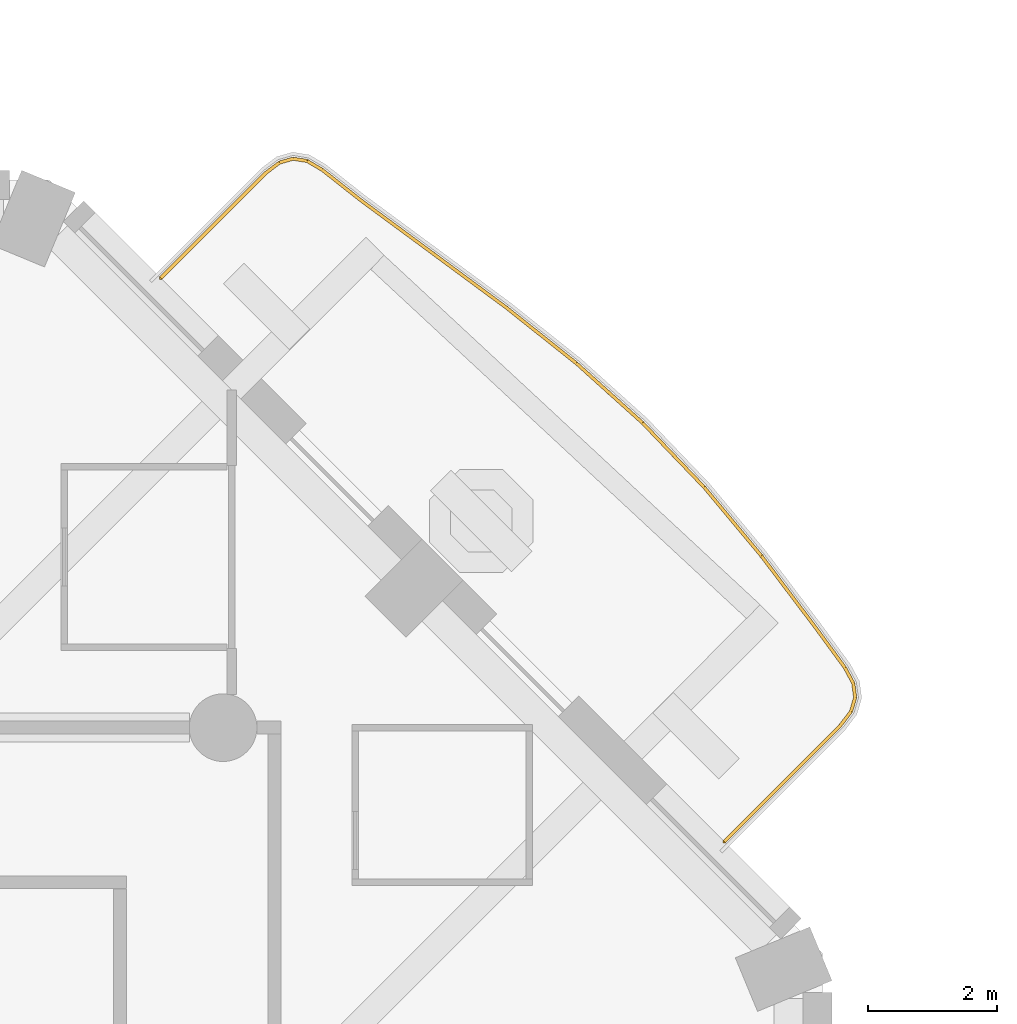
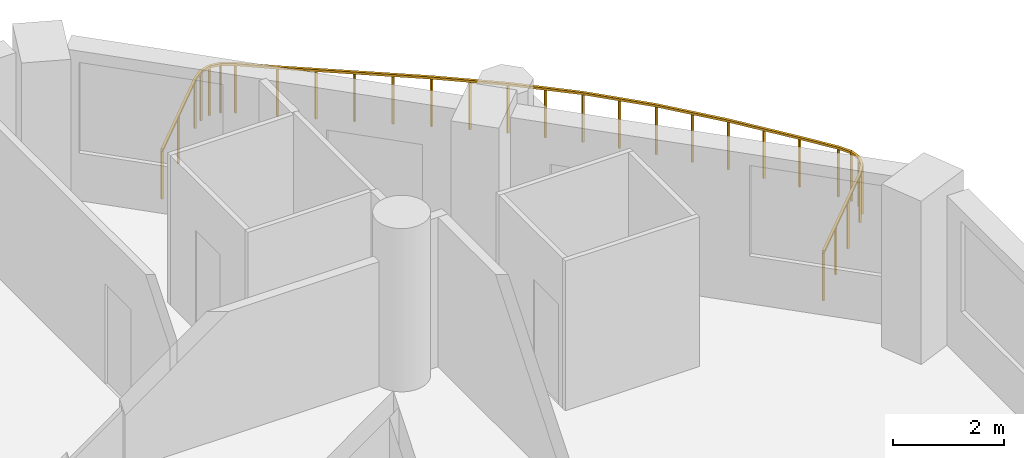
# One storey, part 19 of 20: 1 railing.
"""IFC4 building model written with IfcOpenShell, lengths in metres."""

from ifc_helpers import new_model, si_unit, direction, frame, origin, origin_2d, place, context, subcontext, project, spatial, rectangle, extrude, material, type_object, element, save


model = new_model("IFC4")

# Units and contexts
model_context = context("Model", 3, precision=1e-05, world=origin(), true_north=direction((0.0, 1.0)))
body_context = subcontext(model_context, "Body", "Model", "MODEL_VIEW")
ifc_project = project(units=[si_unit("LENGTHUNIT", "METRE"), si_unit("AREAUNIT", "SQUARE_METRE"), si_unit("VOLUMEUNIT", "CUBIC_METRE"), si_unit("PLANEANGLEUNIT", "RADIAN"), si_unit("MASSUNIT", "GRAM", prefix="KILO")], contexts=[model_context])

# Site, building, storey
site_placement = place(None, origin())
site = spatial("IfcSite", under=ifc_project, at=site_placement, CompositionType="ELEMENT")
building_placement = place(site_placement, origin())
building = spatial("IfcBuilding", under=site, at=building_placement, Name="Cypress Arch Tower", CompositionType="ELEMENT")
storey_placement = place(building_placement, frame((0.0, 0.0, 134.699951171875)))
storey = spatial("IfcBuildingStorey", under=building, at=storey_placement, Name="L29", CompositionType="ELEMENT", Elevation=134.699951171875)

# Railing
ifc_material = material(Name="Powder-coated steel posts and rods, 100 mm clear between rods", Category="steel")
railing_type = type_object("IfcRailingType", Name="Balcony guard GR1100", PredefinedType="GUARDRAIL", material=ifc_material)
railing_placement = place(storey_placement, frame((14.33251953125, 24.479736328125, 0.0)))
element("IfcRailing", 1, at=railing_placement, inside=storey, type_object=railing_type, Name="Balcony guard L29-A07", PredefinedType="GUARDRAIL", context=body_context, shape_type="SweptSolid", body=[
    extrude(rectangle(XDim=0.050048828125, YDim=0.050048828125, at=origin_2d()), frame((0.0, 0.0, 1.0751953125), z_axis=(0.707106781187, 0.707106781187, 0.0), x_axis=(-0.707106781187, 0.707106781187, 0.0)), (0.0, 0.0, 1.0), 2.302490234375),
    extrude(rectangle(XDim=0.050048828125, YDim=0.050048828125, at=origin_2d()), frame((1.628173828125, 1.628173828125, 1.0751953125), z_axis=(0.797818869883, 0.602897214173, 0.0), x_axis=(-0.602897214173, 0.797818869883, 0.0)), (0.0, 0.0, 1.0), 0.269287109375),
    extrude(rectangle(XDim=0.050048828125, YDim=0.050048828125, at=origin_2d()), frame((1.843017578125, 1.79052734375, 1.0751953125), z_axis=(0.961649558274, 0.274281109577, 0.0), x_axis=(-0.274281109577, 0.961649558274, 0.0)), (0.0, 0.0, 1.0), 0.219970703125),
    extrude(rectangle(XDim=0.050048828125, YDim=0.050048828125, at=origin_2d()), frame((2.054443359375, 1.850830078125, 1.0751953125), z_axis=(0.987162255599, -0.159720634614, 0.0), x_axis=(0.159720634614, 0.987162255599, 0.0)), (0.0, 0.0, 1.0), 0.22021484375),
    extrude(rectangle(XDim=0.050048828125, YDim=0.050048828125, at=origin_2d()), frame((2.271728515625, 1.815673828125, 1.0751953125), z_axis=(0.863284624147, -0.504717403813, 0.0), x_axis=(0.504717403813, 0.863284624147, 0.0)), (0.0, 0.0, 1.0), 0.26904296875),
    extrude(rectangle(XDim=0.050048828125, YDim=0.050048828125, at=origin_2d()), frame((2.50390625, 1.679931640625, 1.0751953125), z_axis=(0.785209472927, -0.619230234747, 0.0), x_axis=(0.619230234747, 0.785209472927, 0.0)), (0.0, 0.0, 1.0), 0.764892578125),
    extrude(rectangle(XDim=0.050048828125, YDim=0.050048828125, at=origin_2d()), frame((3.1044921875, 1.206298828125, 1.0751953125), z_axis=(0.805068965482, -0.593181220891, 0.0), x_axis=(0.593181220891, 0.805068965482, 0.0)), (0.0, 0.0, 1.0), 1.40234375),
    extrude(rectangle(XDim=0.050048828125, YDim=0.050048828125, at=origin_2d()), frame((4.2333984375, 0.37451171875, 1.0751953125), z_axis=(0.804455056944, -0.594013519507, 0.0), x_axis=(0.594013519507, 0.804455056944, 0.0)), (0.0, 0.0, 1.0), 1.400390625),
    extrude(rectangle(XDim=0.050048828125, YDim=0.050048828125, at=origin_2d()), frame((5.35986328125, -0.457275390625, 1.0751953125), z_axis=(0.783002825994, -0.622018146428, 0.0), x_axis=(0.622018146428, 0.783002825994, 0.0)), (0.0, 0.0, 1.0), 1.39208984375),
    extrude(rectangle(XDim=0.050048828125, YDim=0.050048828125, at=origin_2d()), frame((6.449951171875, -1.3232421875, 1.0751953125), z_axis=(0.743092395164, -0.669188831534, 0.0), x_axis=(0.669188831534, 0.743092395164, 0.0)), (0.0, 0.0, 1.0), 1.38427734375),
    extrude(rectangle(XDim=0.050048828125, YDim=0.050048828125, at=origin_2d()), frame((7.478515625, -2.24951171875, 1.0751953125), z_axis=(0.691663643877, -0.722219775234, 0.0), x_axis=(0.722219775234, 0.691663643877, 0.0)), (0.0, 0.0, 1.0), 1.38232421875),
    extrude(rectangle(XDim=0.050048828125, YDim=0.050048828125, at=origin_2d()), frame((8.4345703125, -3.247802734375, 1.0751953125), z_axis=(0.64030544225, -0.768120394616, 0.0), x_axis=(0.768120394616, 0.64030544225, 0.0)), (0.0, 0.0, 1.0), 1.388671875),
    extrude(rectangle(XDim=0.050048828125, YDim=0.050048828125, at=origin_2d()), frame((9.32373046875, -4.314453125, 1.0751953125), z_axis=(0.602847920708, -0.797856117667, 0.0), x_axis=(0.797856117667, 0.602847920708, 0.0)), (0.0, 0.0, 1.0), 1.397216796875),
    extrude(rectangle(XDim=0.050048828125, YDim=0.050048828125, at=origin_2d()), frame((10.166015625, -5.42919921875, 1.0751953125), z_axis=(0.590080392079, -0.807344493314, 0.0), x_axis=(0.807344493314, 0.590080392079, 0.0)), (0.0, 0.0, 1.0), 0.767578125),
    extrude(rectangle(XDim=0.050048828125, YDim=0.050048828125, at=origin_2d()), frame((10.618896484375, -6.048828125, 1.0751953125), z_axis=(0.474260202154, -0.880384723091, 0.0), x_axis=(0.880384723091, 0.474260202154, 0.0)), (0.0, 0.0, 1.0), 0.272216796875),
    extrude(rectangle(XDim=0.050048828125, YDim=0.050048828125, at=origin_2d()), frame((10.748046875, -6.28857421875, 1.0751953125), z_axis=(0.133371049798, -0.991066174923, 0.0), x_axis=(0.991066174923, 0.133371049798, 0.0)), (0.0, 0.0, 1.0), 0.22509765625),
    extrude(rectangle(XDim=0.050048828125, YDim=0.050048828125, at=origin_2d()), frame((10.778076171875, -6.51171875, 1.0751953125), z_axis=(-0.283866984408, -0.958863668705, 0.0), x_axis=(0.958863668705, -0.283866984408, 0.0)), (0.0, 0.0, 1.0), 0.225341796875),
    extrude(rectangle(XDim=0.050048828125, YDim=0.050048828125, at=origin_2d()), frame((10.714111328125, -6.727783203125, 1.0751953125), z_axis=(-0.604151031932, -0.796869832919, 0.0), x_axis=(0.796869832919, -0.604151031932, 0.0)), (0.0, 0.0, 1.0), 0.2724609375),
    extrude(rectangle(XDim=0.050048828125, YDim=0.050048828125, at=origin_2d()), frame((10.549560546875, -6.94482421875, 1.0751953125), z_axis=(-0.707058888825, -0.707154670305, 0.0), x_axis=(0.707154670305, -0.707058888825, 0.0)), (0.0, 0.0, 1.0), 2.548828125),
    extrude(rectangle(XDim=0.0400390625, YDim=0.0400390625, at=origin_2d()), origin(), (0.0, 0.0, 1.0), 1.050048828125),
    extrude(rectangle(XDim=0.0400390625, YDim=0.0400390625, at=origin_2d()), frame((0.81396484375, 0.81396484375, 0.0)), (0.0, 0.0, 1.0), 1.050048828125),
    extrude(rectangle(XDim=0.0400390625, YDim=0.0400390625, at=origin_2d()), frame((1.628173828125, 1.628173828125, 0.0)), (0.0, 0.0, 1.0), 1.050048828125),
    extrude(rectangle(XDim=0.0400390625, YDim=0.0400390625, at=origin_2d()), frame((1.843017578125, 1.79052734375, 0.0)), (0.0, 0.0, 1.0), 1.050048828125),
    extrude(rectangle(XDim=0.0400390625, YDim=0.0400390625, at=origin_2d()), frame((2.054443359375, 1.850830078125, 0.0)), (0.0, 0.0, 1.0), 1.050048828125),
    extrude(rectangle(XDim=0.0400390625, YDim=0.0400390625, at=origin_2d()), frame((2.271728515625, 1.815673828125, 0.0)), (0.0, 0.0, 1.0), 1.050048828125),
    extrude(rectangle(XDim=0.0400390625, YDim=0.0400390625, at=origin_2d()), frame((2.50390625, 1.679931640625, 0.0)), (0.0, 0.0, 1.0), 1.050048828125),
    extrude(rectangle(XDim=0.0400390625, YDim=0.0400390625, at=origin_2d()), frame((3.1044921875, 1.206298828125, 0.0)), (0.0, 0.0, 1.0), 1.050048828125),
    extrude(rectangle(XDim=0.0400390625, YDim=0.0400390625, at=origin_2d()), frame((3.6689453125, 0.79052734375, 0.0)), (0.0, 0.0, 1.0), 1.050048828125),
    extrude(rectangle(XDim=0.0400390625, YDim=0.0400390625, at=origin_2d()), frame((4.2333984375, 0.37451171875, 0.0)), (0.0, 0.0, 1.0), 1.050048828125),
    extrude(rectangle(XDim=0.0400390625, YDim=0.0400390625, at=origin_2d()), frame((4.796630859375, -0.04150390625, 0.0)), (0.0, 0.0, 1.0), 1.050048828125),
    extrude(rectangle(XDim=0.0400390625, YDim=0.0400390625, at=origin_2d()), frame((5.35986328125, -0.457275390625, 0.0)), (0.0, 0.0, 1.0), 1.050048828125),
    extrude(rectangle(XDim=0.0400390625, YDim=0.0400390625, at=origin_2d()), frame((5.90478515625, -0.89013671875, 0.0)), (0.0, 0.0, 1.0), 1.050048828125),
    extrude(rectangle(XDim=0.0400390625, YDim=0.0400390625, at=origin_2d()), frame((6.449951171875, -1.3232421875, 0.0)), (0.0, 0.0, 1.0), 1.050048828125),
    extrude(rectangle(XDim=0.0400390625, YDim=0.0400390625, at=origin_2d()), frame((6.96435546875, -1.786376953125, 0.0)), (0.0, 0.0, 1.0), 1.050048828125),
    extrude(rectangle(XDim=0.0400390625, YDim=0.0400390625, at=origin_2d()), frame((7.478515625, -2.24951171875, 0.0)), (0.0, 0.0, 1.0), 1.050048828125),
    extrude(rectangle(XDim=0.0400390625, YDim=0.0400390625, at=origin_2d()), frame((7.95654296875, -2.74853515625, 0.0)), (0.0, 0.0, 1.0), 1.050048828125),
    extrude(rectangle(XDim=0.0400390625, YDim=0.0400390625, at=origin_2d()), frame((8.4345703125, -3.247802734375, 0.0)), (0.0, 0.0, 1.0), 1.050048828125),
    extrude(rectangle(XDim=0.0400390625, YDim=0.0400390625, at=origin_2d()), frame((8.879150390625, -3.78125, 0.0)), (0.0, 0.0, 1.0), 1.050048828125),
    extrude(rectangle(XDim=0.0400390625, YDim=0.0400390625, at=origin_2d()), frame((9.32373046875, -4.314453125, 0.0)), (0.0, 0.0, 1.0), 1.050048828125),
    extrude(rectangle(XDim=0.0400390625, YDim=0.0400390625, at=origin_2d()), frame((9.744873046875, -4.871826171875, 0.0)), (0.0, 0.0, 1.0), 1.050048828125),
    extrude(rectangle(XDim=0.0400390625, YDim=0.0400390625, at=origin_2d()), frame((10.166015625, -5.42919921875, 0.0)), (0.0, 0.0, 1.0), 1.050048828125),
    extrude(rectangle(XDim=0.0400390625, YDim=0.0400390625, at=origin_2d()), frame((10.618896484375, -6.048828125, 0.0)), (0.0, 0.0, 1.0), 1.050048828125),
    extrude(rectangle(XDim=0.0400390625, YDim=0.0400390625, at=origin_2d()), frame((10.748046875, -6.28857421875, 0.0)), (0.0, 0.0, 1.0), 1.050048828125),
    extrude(rectangle(XDim=0.0400390625, YDim=0.0400390625, at=origin_2d()), frame((10.778076171875, -6.51171875, 0.0)), (0.0, 0.0, 1.0), 1.050048828125),
    extrude(rectangle(XDim=0.0400390625, YDim=0.0400390625, at=origin_2d()), frame((10.714111328125, -6.727783203125, 0.0)), (0.0, 0.0, 1.0), 1.050048828125),
    extrude(rectangle(XDim=0.0400390625, YDim=0.0400390625, at=origin_2d()), frame((10.549560546875, -6.94482421875, 0.0)), (0.0, 0.0, 1.0), 1.050048828125),
    extrude(rectangle(XDim=0.0400390625, YDim=0.0400390625, at=origin_2d()), frame((9.94873046875, -7.545654296875, 0.0)), (0.0, 0.0, 1.0), 1.050048828125),
    extrude(rectangle(XDim=0.0400390625, YDim=0.0400390625, at=origin_2d()), frame((9.34814453125, -8.146484375, 0.0)), (0.0, 0.0, 1.0), 1.050048828125),
    extrude(rectangle(XDim=0.0400390625, YDim=0.0400390625, at=origin_2d()), frame((8.747314453125, -8.747314453125, 0.0)), (0.0, 0.0, 1.0), 1.050048828125),
])

save(model, "model.ifc")
